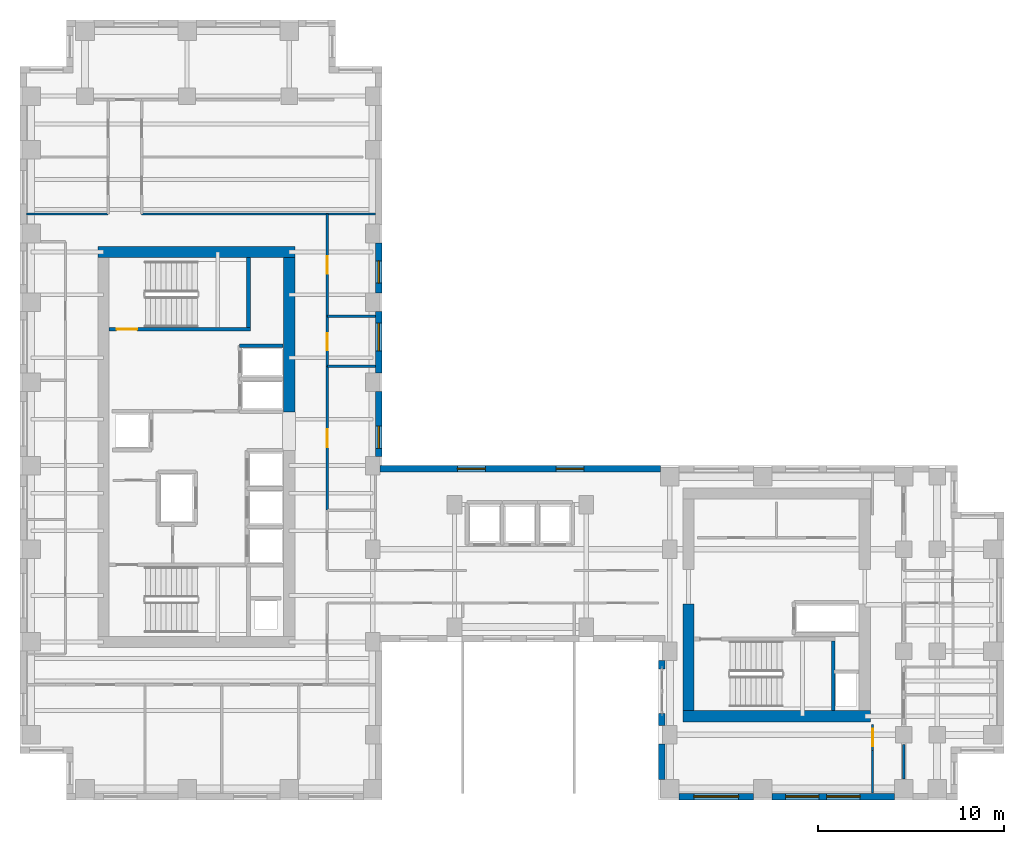
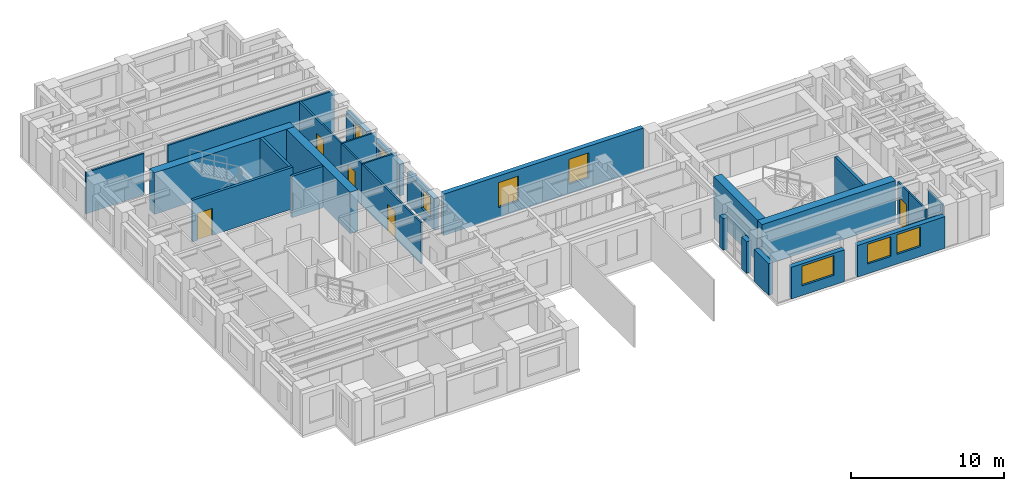
# One storey, part 7 of 12: 27 walls, 8 windows, 5 doors, 13 openings.
"""IFC4 building model written with IfcOpenShell, lengths in metres."""

import ifcopenshell
import ifcopenshell.guid

model = None  # the IFC model being written
_history = None  # IfcOwnerHistory: only IFC2X3 demands one
_inside = {}  # id of a spatial element -> (the spatial element, [elements in it])
_under = {}  # id of a project, library or spatial element -> (it, [spatial elements below it])
_declared = {}  # id of a project -> (the project, [libraries it declares])
_typed = {}  # id of a type object -> (the type object, [elements of that type])
_made_of = {}  # id of a material, layer set ... -> (it, [elements and type objects made of it])


def new_model(schema):
    """Start an empty IFC model of exactly this schema.

    Asked for "IFC4X3", IfcOpenShell would pick the latest addendum, in which some entities
    have other attributes; the version numbers below select the first issue.
    IFC2X3 requires an IfcOwnerHistory on every rooted entity: one is made here for all.
    """
    global model, _history
    if schema == "IFC4X3":
        model = ifcopenshell.file(schema_version=(4, 3, 0, 0))
    else:
        model = ifcopenshell.file(schema=schema)
    _inside.clear()
    _under.clear()
    _declared.clear()
    _typed.clear()
    _made_of.clear()
    _history = None
    if model.schema == "IFC2X3":
        org = make("IfcOrganization", Name="unknown")
        user = make(
            "IfcPersonAndOrganization",
            ThePerson=make("IfcPerson", FamilyName="unknown"),
            TheOrganization=org,
        )
        app = make(
            "IfcApplication",
            ApplicationDeveloper=org,
            Version="unknown",
            ApplicationFullName="unknown",
            ApplicationIdentifier="unknown",
        )
        _history = make(
            "IfcOwnerHistory",
            OwningUser=user,
            OwningApplication=app,
            ChangeAction="ADDED",
            CreationDate=0,
        )
    return model


def make(cls, **values):
    """One entity of the class cls with the attributes given. An attribute that is None is left unset."""
    return model.create_entity(
        cls, **{name: value for name, value in values.items() if value is not None}
    )


def rooted(cls, **values):
    """An entity with a GlobalId (a new one), such as an element, a storey or a relation."""
    return make(cls, GlobalId=ifcopenshell.guid.new(), OwnerHistory=_history, **values)


def si_unit(unit_type, name, prefix=None):
    """IfcSIUnit, for example si_unit("LENGTHUNIT", "METRE", prefix="MILLI")."""
    return make("IfcSIUnit", UnitType=unit_type, Prefix=prefix, Name=name)


def assignment(units):
    """IfcUnitAssignment: the units of a project."""
    return None if units is None else make("IfcUnitAssignment", Units=units)


def point(xyz):
    """IfcCartesianPoint."""
    return None if xyz is None else make("IfcCartesianPoint", Coordinates=xyz)


def direction(xyz):
    """IfcDirection."""
    return None if xyz is None else make("IfcDirection", DirectionRatios=xyz)


def frame(location, z_axis=None, x_axis=None):
    """IfcAxis2Placement3D, a coordinate frame: its origin and axes. An axis left out is left unset."""
    return make(
        "IfcAxis2Placement3D",
        Location=point(location),
        Axis=direction(z_axis),
        RefDirection=direction(x_axis),
    )


def frame_2d(location, x_axis=None):
    """IfcAxis2Placement2D, a coordinate frame in the plane: its origin and x axis."""
    return make(
        "IfcAxis2Placement2D", Location=point(location), RefDirection=direction(x_axis)
    )


def origin():
    """The frame at (0, 0, 0) with its axes left unset."""
    return frame((0.0, 0.0, 0.0))


def place(relative_to, where):
    """IfcLocalPlacement: puts the frame where relative to a parent placement (None: the world)."""
    return make(
        "IfcLocalPlacement", PlacementRelTo=relative_to, RelativePlacement=where
    )


def context(
    kind, dimensions, precision=None, world=None, true_north=None, identifier=None
):
    """IfcGeometricRepresentationContext, for example the 3D "Model" context."""
    return make(
        "IfcGeometricRepresentationContext",
        ContextIdentifier=identifier,
        ContextType=kind,
        CoordinateSpaceDimension=dimensions,
        Precision=precision,
        WorldCoordinateSystem=world,
        TrueNorth=true_north,
    )


def subcontext(parent, identifier, kind, view, scale=None):
    """IfcGeometricRepresentationSubContext, for example "Body" below "Model"."""
    return make(
        "IfcGeometricRepresentationSubContext",
        ContextIdentifier=identifier,
        ContextType=kind,
        ParentContext=parent,
        TargetScale=scale,
        TargetView=view,
    )


def project(units=None, contexts=None):
    """IfcProject with its units and contexts."""
    return rooted(
        "IfcProject",
        Name="project",
        RepresentationContexts=contexts,
        UnitsInContext=assignment(units),
    )


def spatial(cls, under=None, at=None, **own):
    """A site, building, storey or space (cls), placed at a placement, below another one or the project."""
    s = rooted(cls, ObjectPlacement=at, **own)
    if under is not None:
        _under.setdefault(under.id(), (under, []))[1].append(s)
    return s


def profile(cls, at=None, kind="AREA", **sizes):
    """A parametric profile (cls). Its sizes go by their IFC names, for example OverallWidth=200.0."""
    return make(cls, ProfileType=kind, Position=at, **sizes)


def rectangle(**sizes):
    """IfcRectangleProfileDef."""
    return profile("IfcRectangleProfileDef", **sizes)


def extrude(swept, where, along, depth):
    """IfcExtrudedAreaSolid: the profile swept, set in the frame where, extruded along a direction by depth."""
    return make(
        "IfcExtrudedAreaSolid",
        SweptArea=swept,
        Position=where,
        ExtrudedDirection=direction(along),
        Depth=depth,
    )


def shape(context_of_items, identifier, shape_type, items):
    """IfcShapeRepresentation: the items that make up one representation, for example the "Body"."""
    return make(
        "IfcShapeRepresentation",
        ContextOfItems=context_of_items,
        RepresentationIdentifier=identifier,
        RepresentationType=shape_type,
        Items=items,
    )


def source(mapping_origin, context_of_items, identifier, shape_type, items):
    """IfcRepresentationMap: a shape defined once, which mapped items show again and again."""
    return make(
        "IfcRepresentationMap",
        MappingOrigin=mapping_origin,
        MappedRepresentation=shape(context_of_items, identifier, shape_type, items),
    )


def transform(
    local_origin,
    x_axis=None,
    y_axis=None,
    z_axis=None,
    scale=None,
    scale2=None,
    scale3=None,
    uniform=True,
):
    """IfcCartesianTransformationOperator3D, or its non-uniform kind. x_axis, y_axis, z_axis: its Axis1, 2, 3."""
    if uniform:
        return make(
            "IfcCartesianTransformationOperator3D",
            Axis1=direction(x_axis),
            Axis2=direction(y_axis),
            LocalOrigin=point(local_origin),
            Scale=scale,
            Axis3=direction(z_axis),
        )
    return make(
        "IfcCartesianTransformationOperator3DnonUniform",
        Axis1=direction(x_axis),
        Axis2=direction(y_axis),
        LocalOrigin=point(local_origin),
        Scale=scale,
        Axis3=direction(z_axis),
        Scale2=scale2,
        Scale3=scale3,
    )


def mapped(mapping_source, mapping_target):
    """IfcMappedItem: shows the shape of a source again, moved by a transform."""
    return make(
        "IfcMappedItem", MappingSource=mapping_source, MappingTarget=mapping_target
    )


def material(Name=None, Category=None):
    """IfcMaterial."""
    return make("IfcMaterial", Name=Name, Category=Category)


def layer(
    of_material, thickness, ventilated=None, Name=None, Category=None, Priority=None
):
    """IfcMaterialLayer: one layer of a wall or slab, of a material (None: an air gap)."""
    return make(
        "IfcMaterialLayer",
        Material=of_material,
        LayerThickness=thickness,
        IsVentilated=ventilated,
        Name=Name,
        Category=Category,
        Priority=Priority,
    )


def layer_set(layers, Name=None):
    """IfcMaterialLayerSet."""
    return make("IfcMaterialLayerSet", MaterialLayers=layers, LayerSetName=Name)


def made_of(thing, what):
    """Note that an element or type object is made of a material, layer set ...; save() writes the relation."""
    if what is not None:
        _made_of.setdefault(what.id(), (what, []))[1].append(thing)
    return thing


def type_object(cls, material=None, **own):
    """A type object (cls), such as IfcWallType, which elements share."""
    return made_of(rooted(cls, **own), material)


def element(
    cls,
    number,
    at=None,
    inside=None,
    cuts=None,
    type_object=None,
    material=None,
    context=None,
    identifier="Body",
    shape_type=None,
    held_by="IfcProductDefinitionShape",
    body=None,
    shapes=None,
    **own,
):
    """One element of the class cls, such as IfcWall. Its Tag is "e" and its number.

    at: its placement. inside: the storey or other place that contains it. cuts: it is an
    opening in that element (IfcRelVoidsElement). A single representation is given by context,
    identifier, shape_type and body (its items); several are given by shapes. held_by: the class
    of the entity that holds the representations. save() writes the other relations.
    """
    e = rooted(cls, Tag="e%d" % number, ObjectPlacement=at, **own)
    if body is not None:
        shapes = [shape(context, identifier, shape_type, body)]
    if shapes is not None:
        e.Representation = make(held_by, Representations=shapes)
    if inside is not None:
        _inside.setdefault(inside.id(), (inside, []))[1].append(e)
    if cuts is not None:
        rooted(
            "IfcRelVoidsElement", RelatingBuildingElement=cuts, RelatedOpeningElement=e
        )
    if type_object is not None:
        _typed.setdefault(type_object.id(), (type_object, []))[1].append(e)
    return made_of(e, material)


def fill(opening, filler):
    """IfcRelFillsElement: the door or window that sits in an opening."""
    return rooted(
        "IfcRelFillsElement",
        RelatingOpeningElement=opening,
        RelatedBuildingElement=filler,
    )


def aggregate(whole, parts):
    """IfcRelAggregates: a whole, such as a stair, and the parts it consists of."""
    return rooted("IfcRelAggregates", RelatingObject=whole, RelatedObjects=parts)


def save(model, path):
    """Write the relations noted so far, then the file.

    IfcRelAggregates (storeys below a building ...), IfcRelContainedInSpatialStructure (elements
    in a storey), IfcRelDefinesByType, IfcRelAssociatesMaterial and IfcRelDeclares: one each for
    every whole, place, type object, material and project.
    """
    for whole, parts in _under.values():
        aggregate(whole, parts)
    for where, things in _inside.values():
        rooted(
            "IfcRelContainedInSpatialStructure",
            RelatedElements=things,
            RelatingStructure=where,
        )
    for kind, things in _typed.values():
        rooted("IfcRelDefinesByType", RelatedObjects=things, RelatingType=kind)
    for what, things in _made_of.values():
        rooted("IfcRelAssociatesMaterial", RelatedObjects=things, RelatingMaterial=what)
    for by, libraries in _declared.values():
        rooted("IfcRelDeclares", RelatingContext=by, RelatedDefinitions=libraries)
    model.write(path)


model = new_model("IFC4")

# Units and contexts
model_context = context("Model", 3, precision=1e-05, world=origin(), true_north=direction((0.0, 1.0)))
body_context = subcontext(model_context, "Body", "Model", "MODEL_VIEW")
ifc_project = project(units=[si_unit("LENGTHUNIT", "METRE"), si_unit("AREAUNIT", "SQUARE_METRE"), si_unit("VOLUMEUNIT", "CUBIC_METRE"), si_unit("PLANEANGLEUNIT", "RADIAN"), si_unit("MASSUNIT", "GRAM", prefix="KILO")], contexts=[model_context])

# Site, building, storey
site_placement = place(None, origin())
site = spatial("IfcSite", under=ifc_project, at=site_placement, CompositionType="ELEMENT")
building_placement = place(site_placement, origin())
building = spatial("IfcBuilding", under=site, at=building_placement, Name="Kharzan Plaza Tower", CompositionType="ELEMENT")
storey_placement = place(building_placement, frame((0.0, 0.0, 204.300048828125)))
storey = spatial("IfcBuildingStorey", under=building, at=storey_placement, Name="L55", CompositionType="ELEMENT", Elevation=204.300048828125)

# Wall, opening, window
ifc_material_1 = material(Name="Concrete C40/50", Category="concrete")
ifc_layer_1 = layer(ifc_material_1, 0.35009765625)
ifc_layer_set_1 = layer_set([ifc_layer_1], Name="Concrete C40/50")
wall_type_1 = type_object("IfcWallType", Name="WL-EXT-MAS-Z3", PredefinedType="SOLIDWALL", material=ifc_layer_set_1)
wall_1_placement = place(storey_placement, frame((35.498046875, 0.175048828125, 0.0), z_axis=(0.0, 0.0, 1.0), x_axis=(1.0, 0.0, 0.0)))
wall_1 = element("IfcWall", 1, at=wall_1_placement, inside=storey, type_object=wall_type_1, Name="L55 Masonry-Frame Exterior Wall 32", PredefinedType="SOLIDWALL", context=body_context, shape_type="SweptSolid", body=[
    extrude(rectangle(XDim=4.00390625, YDim=0.35009765625, at=frame_2d((2.001953125, 0.0))), origin(), (0.0, 0.0, 1.0), 2.531982421875),
])
opening_1_placement = place(wall_1_placement, frame((0.802001953125, 0.0, 0.780029296875)))
opening_1 = element("IfcOpeningElement", 2, at=opening_1_placement, cuts=wall_1, Name="Opening W2", PredefinedType="OPENING", context=body_context, shape_type="SweptSolid", body=[
    extrude(rectangle(XDim=2.39990234375, YDim=1.572021484375, at=frame_2d((1.199951171875, 0.7861328125))), frame((0.0, 0.18505859375, 0.0), z_axis=(0.0, -1.0, 0.0), x_axis=(1.0, 0.0, 0.0)), (0.0, 0.0, 1.0), 0.3701171875),
])
ifc_material_2 = material(Name="Low-E Double Glazing", Category="glass")
window_type_1 = type_object("IfcWindowType", Name="WN-REC-2400x2100", PartitioningType="SINGLE_PANEL", PredefinedType="WINDOW", material=ifc_material_2)
shared_shape_1 = source(origin(), body_context, "Body", "SweptSolid", [
    extrude(rectangle(XDim=2.39990234375, YDim=1.572021484375, at=frame_2d((1.199951171875, 0.7861328125))), frame((0.0, 0.030029296875, 0.0), z_axis=(0.0, -1.0, 0.0), x_axis=(1.0, 0.0, 0.0)), (0.0, 0.0, 1.0), 0.06005859375),
])
window_1_placement = place(opening_1_placement, origin())
window_1 = element("IfcWindow", 3, at=window_1_placement, inside=storey, type_object=window_type_1, Name="L55 Wide Recessed Solar-Control Window 32-1", OverallHeight=1.572021484375, OverallWidth=2.39990234375, PartitioningType="SINGLE_PANEL", PredefinedType="WINDOW", context=body_context, shape_type="MappedRepresentation", body=[
    mapped(shared_shape_1, transform((0.0, 0.0, 0.0), x_axis=(1.0, 0.0, 0.0), y_axis=(0.0, 1.0, 0.0), z_axis=(0.0, 0.0, 1.0))),
])
fill(opening_1, window_1)

# Wall, openings, windows
wall_2_placement = place(storey_placement, frame((40.498046875, 0.175048828125, 0.0), z_axis=(0.0, 0.0, 1.0), x_axis=(1.0, 0.0, 0.0)))
wall_2 = element("IfcWall", 4, at=wall_2_placement, inside=storey, type_object=wall_type_1, Name="L55 Masonry-Frame Exterior Wall 33", PredefinedType="SOLIDWALL", context=body_context, shape_type="SweptSolid", body=[
    extrude(rectangle(XDim=6.60400390625, YDim=0.35009765625, at=frame_2d((3.302001953125, 0.0))), origin(), (0.0, 0.0, 1.0), 2.531982421875),
])
opening_2_placement = place(wall_2_placement, frame((0.7373046875, 0.0, 0.780029296875)))
opening_2 = element("IfcOpeningElement", 5, at=opening_2_placement, cuts=wall_2, Name="Opening W1", PredefinedType="OPENING", context=body_context, shape_type="SweptSolid", body=[
    extrude(rectangle(XDim=1.800048828125, YDim=1.572021484375, at=frame_2d((0.89990234375, 0.7861328125))), frame((0.0, 0.18505859375, 0.0), z_axis=(0.0, -1.0, 0.0), x_axis=(1.0, 0.0, 0.0)), (0.0, 0.0, 1.0), 0.3701171875),
])
opening_3_placement = place(wall_2_placement, frame((2.95458984375, 0.0, 0.780029296875)))
opening_3 = element("IfcOpeningElement", 6, at=opening_3_placement, cuts=wall_2, Name="Opening W1", PredefinedType="OPENING", context=body_context, shape_type="SweptSolid", body=[
    extrude(rectangle(XDim=1.800048828125, YDim=1.572021484375, at=frame_2d((0.89990234375, 0.7861328125))), frame((0.0, 0.18505859375, 0.0), z_axis=(0.0, -1.0, 0.0), x_axis=(1.0, 0.0, 0.0)), (0.0, 0.0, 1.0), 0.3701171875),
])
window_type_2 = type_object("IfcWindowType", Name="WN-REC-1800x2100", PartitioningType="SINGLE_PANEL", PredefinedType="WINDOW", material=ifc_material_2)
shared_shape_2 = source(origin(), body_context, "Body", "SweptSolid", [
    extrude(rectangle(XDim=1.800048828125, YDim=1.572021484375, at=frame_2d((0.89990234375, 0.7861328125))), frame((0.0, 0.030029296875, 0.0), z_axis=(0.0, -1.0, 0.0), x_axis=(1.0, 0.0, 0.0)), (0.0, 0.0, 1.0), 0.06005859375),
])
window_2_placement = place(opening_2_placement, origin())
window_2 = element("IfcWindow", 7, at=window_2_placement, inside=storey, type_object=window_type_2, Name="L55 Recessed Solar-Control Window 33-1", OverallHeight=1.572021484375, OverallWidth=1.800048828125, PartitioningType="SINGLE_PANEL", PredefinedType="WINDOW", context=body_context, shape_type="MappedRepresentation", body=[
    mapped(shared_shape_2, transform((0.0, 0.0, 0.0), x_axis=(1.0, 0.0, 0.0), y_axis=(0.0, 1.0, 0.0), z_axis=(0.0, 0.0, 1.0))),
])
fill(opening_2, window_2)
window_3_placement = place(opening_3_placement, origin())
window_3 = element("IfcWindow", 8, at=window_3_placement, inside=storey, type_object=window_type_2, Name="L55 Recessed Solar-Control Window 33-2", OverallHeight=1.572021484375, OverallWidth=1.800048828125, PartitioningType="SINGLE_PANEL", PredefinedType="WINDOW", context=body_context, shape_type="MappedRepresentation", body=[
    mapped(shared_shape_2, transform((0.0, 0.0, 0.0), x_axis=(1.0, 0.0, 0.0), y_axis=(0.0, 1.0, 0.0), z_axis=(0.0, 0.0, 1.0))),
])
fill(opening_3, window_3)

wall_3_placement = place(storey_placement, frame((34.501953125, 17.824951171875, 0.0), z_axis=(0.0, 0.0, 1.0), x_axis=(-1.0, 0.0, 0.0)))
wall_3 = element("IfcWall", 9, at=wall_3_placement, inside=storey, type_object=wall_type_1, Name="L55 Masonry-Frame Exterior Wall 47", PredefinedType="SOLIDWALL", context=body_context, shape_type="SweptSolid", body=[
    extrude(rectangle(XDim=15.10400390625, YDim=0.35009765625, at=frame_2d((7.552001953125, 0.0))), origin(), (0.0, 0.0, 1.0), 3.304931640625),
])
opening_4_placement = place(wall_3_placement, frame((4.131103515625, 0.0, 0.780029296875)))
opening_4 = element("IfcOpeningElement", 10, at=opening_4_placement, cuts=wall_3, Name="Opening W5", PredefinedType="OPENING", context=body_context, shape_type="SweptSolid", body=[
    extrude(rectangle(XDim=1.5, YDim=2.0, at=frame_2d((0.75, 1.0))), frame((0.0, 0.18505859375, 0.0), z_axis=(0.0, -1.0, 0.0), x_axis=(1.0, 0.0, 0.0)), (0.0, 0.0, 1.0), 0.3701171875),
])
opening_5_placement = place(wall_3_placement, frame((9.4423828125, 0.0, 0.780029296875)))
opening_5 = element("IfcOpeningElement", 11, at=opening_5_placement, cuts=wall_3, Name="Opening W5", PredefinedType="OPENING", context=body_context, shape_type="SweptSolid", body=[
    extrude(rectangle(XDim=1.5, YDim=2.0, at=frame_2d((0.75, 1.0))), frame((0.0, 0.18505859375, 0.0), z_axis=(0.0, -1.0, 0.0), x_axis=(1.0, 0.0, 0.0)), (0.0, 0.0, 1.0), 0.3701171875),
])
window_type_3 = type_object("IfcWindowType", Name="WN-SLT-1500x2000", PartitioningType="SINGLE_PANEL", PredefinedType="WINDOW", material=ifc_material_2)
shared_shape_3 = source(origin(), body_context, "Body", "SweptSolid", [
    extrude(rectangle(XDim=1.5, YDim=2.0, at=frame_2d((0.75, 1.0))), frame((0.0, 0.030029296875, 0.0), z_axis=(0.0, -1.0, 0.0), x_axis=(1.0, 0.0, 0.0)), (0.0, 0.0, 1.0), 0.06005859375),
])
window_4_placement = place(opening_4_placement, origin())
window_4 = element("IfcWindow", 12, at=window_4_placement, inside=storey, type_object=window_type_3, Name="L55 Recessed Solar-Control Window 47-1", OverallHeight=2.0, OverallWidth=1.5, PartitioningType="SINGLE_PANEL", PredefinedType="WINDOW", context=body_context, shape_type="MappedRepresentation", body=[
    mapped(shared_shape_3, transform((0.0, 0.0, 0.0), x_axis=(1.0, 0.0, 0.0), y_axis=(0.0, 1.0, 0.0), z_axis=(0.0, 0.0, 1.0))),
])
fill(opening_4, window_4)
window_5_placement = place(opening_5_placement, origin())
window_5 = element("IfcWindow", 13, at=window_5_placement, inside=storey, type_object=window_type_3, Name="L55 Recessed Solar-Control Window 47-2", OverallHeight=2.0, OverallWidth=1.5, PartitioningType="SINGLE_PANEL", PredefinedType="WINDOW", context=body_context, shape_type="MappedRepresentation", body=[
    mapped(shared_shape_3, transform((0.0, 0.0, 0.0), x_axis=(1.0, 0.0, 0.0), y_axis=(0.0, 1.0, 0.0), z_axis=(0.0, 0.0, 1.0))),
])
fill(opening_5, window_5)

# Wall, opening, window
wall_4_placement = place(storey_placement, frame((19.324951171875, 18.498046875, 0.0), z_axis=(0.0, 0.0, 1.0), x_axis=(0.0, 1.0, 0.0)))
wall_4 = element("IfcWall", 14, at=wall_4_placement, inside=storey, type_object=wall_type_1, Name="L55 Masonry-Frame Exterior Wall 48", PredefinedType="SOLIDWALL", context=body_context, shape_type="SweptSolid", body=[
    extrude(rectangle(XDim=3.50390625, YDim=0.35009765625, at=frame_2d((1.751953125, 0.0))), origin(), (0.0, 0.0, 1.0), 2.531982421875),
])
opening_6_placement = place(wall_4_placement, frame((0.4326171875, 0.0, 0.780029296875)))
opening_6 = element("IfcOpeningElement", 15, at=opening_6_placement, cuts=wall_4, Name="Opening W3", PredefinedType="OPENING", context=body_context, shape_type="SweptSolid", body=[
    extrude(rectangle(XDim=1.199951171875, YDim=1.572021484375, at=frame_2d((0.60009765625, 0.7861328125))), frame((0.0, 0.18505859375, 0.0), z_axis=(0.0, -1.0, 0.0), x_axis=(1.0, 0.0, 0.0)), (0.0, 0.0, 1.0), 0.3701171875),
])
window_type_4 = type_object("IfcWindowType", Name="WN-REC-1200x2100", PartitioningType="SINGLE_PANEL", PredefinedType="WINDOW", material=ifc_material_2)
shared_shape_4 = source(origin(), body_context, "Body", "SweptSolid", [
    extrude(rectangle(XDim=1.199951171875, YDim=1.572021484375, at=frame_2d((0.60009765625, 0.7861328125))), frame((0.0, 0.030029296875, 0.0), z_axis=(0.0, -1.0, 0.0), x_axis=(1.0, 0.0, 0.0)), (0.0, 0.0, 1.0), 0.06005859375),
])
window_6_placement = place(opening_6_placement, origin())
window_6 = element("IfcWindow", 16, at=window_6_placement, inside=storey, type_object=window_type_4, Name="L55 Recessed Solar-Control Window 48-1", OverallHeight=1.572021484375, OverallWidth=1.199951171875, PartitioningType="SINGLE_PANEL", PredefinedType="WINDOW", context=body_context, shape_type="MappedRepresentation", body=[
    mapped(shared_shape_4, transform((0.0, 0.0, 0.0), x_axis=(1.0, 0.0, 0.0), y_axis=(0.0, 1.0, 0.0), z_axis=(0.0, 0.0, 1.0))),
])
fill(opening_6, window_6)

wall_5_placement = place(storey_placement, frame((19.324951171875, 22.998046875, 0.0), z_axis=(0.0, 0.0, 1.0), x_axis=(0.0, 1.0, 0.0)))
wall_5 = element("IfcWall", 17, at=wall_5_placement, inside=storey, type_object=wall_type_1, Name="L55 Masonry-Frame Exterior Wall 49", PredefinedType="SOLIDWALL", context=body_context, shape_type="SweptSolid", body=[
    extrude(rectangle(XDim=3.303955078125, YDim=0.35009765625, at=frame_2d((1.65185546875, 0.0))), origin(), (0.0, 0.0, 1.0), 2.531982421875),
])
opening_7_placement = place(wall_5_placement, frame((1.180419921875, 0.0, 0.780029296875)))
opening_7 = element("IfcOpeningElement", 18, at=opening_7_placement, cuts=wall_5, Name="Opening W5", PredefinedType="OPENING", context=body_context, shape_type="SweptSolid", body=[
    extrude(rectangle(XDim=1.5, YDim=1.572021484375, at=frame_2d((0.75, 0.7861328125))), frame((0.0, 0.18505859375, 0.0), z_axis=(0.0, -1.0, 0.0), x_axis=(1.0, 0.0, 0.0)), (0.0, 0.0, 1.0), 0.3701171875),
])
shared_shape_5 = source(origin(), body_context, "Body", "SweptSolid", [
    extrude(rectangle(XDim=1.5, YDim=1.572021484375, at=frame_2d((0.75, 0.7861328125))), frame((0.0, 0.030029296875, 0.0), z_axis=(0.0, -1.0, 0.0), x_axis=(1.0, 0.0, 0.0)), (0.0, 0.0, 1.0), 0.06005859375),
])
window_7_placement = place(opening_7_placement, origin())
window_7 = element("IfcWindow", 19, at=window_7_placement, inside=storey, type_object=window_type_3, Name="L55 Recessed Solar-Control Window 49-1", OverallHeight=1.572021484375, OverallWidth=1.5, PartitioningType="SINGLE_PANEL", PredefinedType="WINDOW", context=body_context, shape_type="MappedRepresentation", body=[
    mapped(shared_shape_5, transform((0.0, 0.0, 0.0), x_axis=(1.0, 0.0, 0.0), y_axis=(0.0, 1.0, 0.0), z_axis=(0.0, 0.0, 1.0))),
])
fill(opening_7, window_7)

wall_6_placement = place(storey_placement, frame((19.324951171875, 27.298095703125, 0.0), z_axis=(0.0, 0.0, 1.0), x_axis=(0.0, 1.0, 0.0)))
wall_6 = element("IfcWall", 20, at=wall_6_placement, inside=storey, type_object=wall_type_1, Name="L55 Masonry-Frame Exterior Wall 50", PredefinedType="SOLIDWALL", context=body_context, shape_type="SweptSolid", body=[
    extrude(rectangle(XDim=2.703857421875, YDim=0.35009765625, at=frame_2d((1.35205078125, 0.0))), origin(), (0.0, 0.0, 1.0), 2.531982421875),
])
opening_8_placement = place(wall_6_placement, frame((0.523681640625, 0.0, 0.780029296875)))
opening_8 = element("IfcOpeningElement", 21, at=opening_8_placement, cuts=wall_6, Name="Opening W3", PredefinedType="OPENING", context=body_context, shape_type="SweptSolid", body=[
    extrude(rectangle(XDim=1.199951171875, YDim=1.572021484375, at=frame_2d((0.60009765625, 0.7861328125))), frame((0.0, 0.18505859375, 0.0), z_axis=(0.0, -1.0, 0.0), x_axis=(1.0, 0.0, 0.0)), (0.0, 0.0, 1.0), 0.3701171875),
])
window_8_placement = place(opening_8_placement, origin())
window_8 = element("IfcWindow", 22, at=window_8_placement, inside=storey, type_object=window_type_4, Name="L55 Recessed Solar-Control Window 50-1", OverallHeight=1.572021484375, OverallWidth=1.199951171875, PartitioningType="SINGLE_PANEL", PredefinedType="WINDOW", context=body_context, shape_type="MappedRepresentation", body=[
    mapped(shared_shape_4, transform((0.0, 0.0, 0.0), x_axis=(1.0, 0.0, 0.0), y_axis=(0.0, 1.0, 0.0), z_axis=(0.0, 0.0, 1.0))),
])
fill(opening_8, window_8)

# Wall, opening, door
ifc_material_3 = material(Name="Fire-Rated Gypsum Board Partition", Category="gypsum")
ifc_layer_2 = layer(ifc_material_3, 0.125)
ifc_layer_set_2 = layer_set([ifc_layer_2], Name="Fire-Rated Gypsum Board Partition")
wall_type_2 = type_object("IfcWallType", Name="WL-INT-PART-125", PredefinedType="PARTITIONING", material=ifc_layer_set_2)
wall_7_placement = place(storey_placement, frame((16.550048828125, 15.60009765625, 0.0), z_axis=(0.0, 0.0, 1.0), x_axis=(0.0, 1.0, 0.0)))
wall_7 = element("IfcWall", 23, at=wall_7_placement, inside=storey, type_object=wall_type_2, Name="L55 Interior Partition SH-AEWN2", PredefinedType="PARTITIONING", context=body_context, shape_type="SweptSolid", body=[
    extrude(rectangle(XDim=7.75, YDim=0.125, at=frame_2d((3.875, 0.0))), origin(), (0.0, 0.0, 1.0), 3.304931640625),
])
opening_9_placement = place(wall_7_placement, frame((3.39990234375, 0.0, 0.0)))
opening_9 = element("IfcOpeningElement", 24, at=opening_9_placement, cuts=wall_7, Name="Opening OD1", PredefinedType="OPENING", context=body_context, shape_type="SweptSolid", body=[
    extrude(rectangle(XDim=0.949951171875, YDim=2.14990234375, at=frame_2d((0.47509765625, 1.074951171875))), frame((0.0, 0.072509765625, 0.0), z_axis=(0.0, -1.0, 0.0), x_axis=(1.0, 0.0, 0.0)), (0.0, 0.0, 1.0), 0.14501953125),
])
ifc_material_4 = material(Name="Acoustic Solid-Core Stained Oak", Category="timber")
door_type_1 = type_object("IfcDoorType", Name="DR-OFF-SINGLE", OperationType="NOTDEFINED", PredefinedType="DOOR", material=ifc_material_4)
shared_shape_6 = source(origin(), body_context, "Body", "SweptSolid", [
    extrude(rectangle(XDim=0.949951171875, YDim=2.14990234375, at=frame_2d((0.47509765625, 1.074951171875))), frame((0.0, 0.02490234375, 0.0), z_axis=(0.0, -1.0, 0.0), x_axis=(1.0, 0.0, 0.0)), (0.0, 0.0, 1.0), 0.050048828125),
])
door_1_placement = place(opening_9_placement, origin())
door_1 = element("IfcDoor", 25, at=door_1_placement, inside=storey, type_object=door_type_1, Name="L55 Slot Studio Door", OperationType="SINGLE_SWING_RIGHT", OverallHeight=2.14990234375, OverallWidth=0.949951171875, PredefinedType="DOOR", context=body_context, shape_type="MappedRepresentation", body=[
    mapped(shared_shape_6, transform((0.0, 0.0, 0.0), x_axis=(1.0, 0.0, 0.0), y_axis=(0.0, 1.0, 0.0), z_axis=(0.0, 0.0, 1.0))),
])
fill(opening_9, door_1)

wall_8_placement = place(storey_placement, frame((16.550048828125, 26.050048828125, 0.0), z_axis=(0.0, 0.0, 1.0), x_axis=(0.0, 1.0, 0.0)))
wall_8 = element("IfcWall", 26, at=wall_8_placement, inside=storey, type_object=wall_type_2, Name="L55 Interior Partition SH-AEWN3", PredefinedType="PARTITIONING", context=body_context, shape_type="SweptSolid", body=[
    extrude(rectangle(XDim=5.5, YDim=0.125, at=frame_2d((2.75, 0.0))), origin(), (0.0, 0.0, 1.0), 3.304931640625),
])
opening_10_placement = place(wall_8_placement, frame((2.27490234375, 0.0, 0.0)))
opening_10 = element("IfcOpeningElement", 27, at=opening_10_placement, cuts=wall_8, Name="Opening OD1", PredefinedType="OPENING", context=body_context, shape_type="SweptSolid", body=[
    extrude(rectangle(XDim=0.949951171875, YDim=2.14990234375, at=frame_2d((0.47509765625, 1.074951171875))), frame((0.0, 0.072509765625, 0.0), z_axis=(0.0, -1.0, 0.0), x_axis=(1.0, 0.0, 0.0)), (0.0, 0.0, 1.0), 0.14501953125),
])
door_2_placement = place(opening_10_placement, origin())
door_2 = element("IfcDoor", 28, at=door_2_placement, inside=storey, type_object=door_type_1, Name="L55 Staff Tea Point Door", OperationType="SINGLE_SWING_RIGHT", OverallHeight=2.14990234375, OverallWidth=0.949951171875, PredefinedType="DOOR", context=body_context, shape_type="MappedRepresentation", body=[
    mapped(shared_shape_6, transform((0.0, 0.0, 0.0), x_axis=(1.0, 0.0, 0.0), y_axis=(0.0, 1.0, 0.0), z_axis=(0.0, 0.0, 1.0))),
])
fill(opening_10, door_2)

wall_9_placement = place(storey_placement, frame((16.550048828125, 23.35009765625, 0.0), z_axis=(0.0, 0.0, 1.0), x_axis=(0.0, 1.0, 0.0)))
wall_9 = element("IfcWall", 29, at=wall_9_placement, inside=storey, type_object=wall_type_2, Name="L55 Interior Partition SH-AEWW", PredefinedType="PARTITIONING", context=body_context, shape_type="SweptSolid", body=[
    extrude(rectangle(XDim=2.699951171875, YDim=0.125, at=frame_2d((1.35009765625, 0.0))), origin(), (0.0, 0.0, 1.0), 3.304931640625),
])
opening_11_placement = place(wall_9_placement, frame((0.875, 0.0, 0.0)))
opening_11 = element("IfcOpeningElement", 30, at=opening_11_placement, cuts=wall_9, Name="Opening WD1", PredefinedType="OPENING", context=body_context, shape_type="SweptSolid", body=[
    extrude(rectangle(XDim=0.89990234375, YDim=2.14990234375, at=frame_2d((0.449951171875, 1.074951171875))), frame((0.0, 0.072509765625, 0.0), z_axis=(0.0, -1.0, 0.0), x_axis=(1.0, 0.0, 0.0)), (0.0, 0.0, 1.0), 0.14501953125),
])
ifc_material_5 = material(Name="Moisture-Resistant Fire-Rated Laminate", Category="timber")
door_type_2 = type_object("IfcDoorType", Name="DR-WC-900", OperationType="NOTDEFINED", PredefinedType="DOOR", material=ifc_material_5)
shared_shape_7 = source(origin(), body_context, "Body", "SweptSolid", [
    extrude(rectangle(XDim=0.89990234375, YDim=2.14990234375, at=frame_2d((0.449951171875, 1.074951171875))), frame((0.0, 0.02490234375, 0.0), z_axis=(0.0, -1.0, 0.0), x_axis=(1.0, 0.0, 0.0)), (0.0, 0.0, 1.0), 0.050048828125),
])
door_3_placement = place(opening_11_placement, origin())
door_3 = element("IfcDoor", 31, at=door_3_placement, inside=storey, type_object=door_type_2, Name="L55 Wing A Washroom Door", OperationType="SINGLE_SWING_LEFT", OverallHeight=2.14990234375, OverallWidth=0.89990234375, PredefinedType="DOOR", context=body_context, shape_type="MappedRepresentation", body=[
    mapped(shared_shape_7, transform((0.0, 0.0, 0.0), x_axis=(1.0, 0.0, 0.0), y_axis=(0.0, 1.0, 0.0), z_axis=(0.0, 0.0, 1.0))),
])
fill(opening_11, door_3)

wall_10_placement = place(storey_placement, frame((45.919921875, 2.64990234375, 0.0), z_axis=(0.0, 0.0, 1.0), x_axis=(0.0, 1.0, 0.0)))
wall_10 = element("IfcWall", 32, at=wall_10_placement, inside=storey, type_object=wall_type_2, Name="L55 Interior Partition SH-RBSE", PredefinedType="PARTITIONING", context=body_context, shape_type="SweptSolid", body=[
    extrude(rectangle(XDim=1.400146484375, YDim=0.125, at=frame_2d((0.7001953125, 0.0))), origin(), (0.0, 0.0, 1.0), 3.304931640625),
])
opening_12_placement = place(wall_10_placement, frame((0.22509765625, 0.0, 0.0)))
opening_12 = element("IfcOpeningElement", 33, at=opening_12_placement, cuts=wall_10, Name="Opening OD1", PredefinedType="OPENING", context=body_context, shape_type="SweptSolid", body=[
    extrude(rectangle(XDim=0.949951171875, YDim=2.14990234375, at=frame_2d((0.47509765625, 1.074951171875))), frame((0.0, 0.072509765625, 0.0), z_axis=(0.0, -1.0, 0.0), x_axis=(1.0, 0.0, 0.0)), (0.0, 0.0, 1.0), 0.14501953125),
])
door_4_placement = place(opening_12_placement, origin())
door_4 = element("IfcDoor", 34, at=door_4_placement, inside=storey, type_object=door_type_1, Name="L55 South-East Corner Office Door", OperationType="SINGLE_SWING_RIGHT", OverallHeight=2.14990234375, OverallWidth=0.949951171875, PredefinedType="DOOR", context=body_context, shape_type="MappedRepresentation", body=[
    mapped(shared_shape_6, transform((0.0, 0.0, 0.0), x_axis=(1.0, 0.0, 0.0), y_axis=(0.0, 1.0, 0.0), z_axis=(0.0, 0.0, 1.0))),
])
fill(opening_12, door_4)

ifc_material_6 = material(Name="Concrete C50/60", Category="concrete")
ifc_layer_3 = layer(ifc_material_6, 0.199951171875)
ifc_layer_set_3 = layer_set([ifc_layer_3], Name="Concrete C50/60")
wall_type_3 = type_object("IfcWallType", Name="WL-SHAFT-RC200", PredefinedType="SHEAR", material=ifc_layer_set_3)
wall_11_placement = place(storey_placement, frame((4.802001953125, 25.344970703125, 0.0), z_axis=(0.0, 0.0, 1.0), x_axis=(1.0, 0.0, 0.0)))
wall_11 = element("IfcWall", 35, at=wall_11_placement, inside=storey, type_object=wall_type_3, Name="L55 Stair ST-2 South RC Shaft Wall", PredefinedType="SHEAR", context=body_context, shape_type="SweptSolid", body=[
    extrude(rectangle(XDim=7.60302734375, YDim=0.199951171875, at=frame_2d((3.801513671875, 0.0))), origin(), (0.0, 0.0, 1.0), 3.320068359375),
])
opening_13_placement = place(wall_11_placement, frame((0.39990234375, 0.0, 0.0)))
opening_13 = element("IfcOpeningElement", 36, at=opening_13_placement, cuts=wall_11, Name="Opening SD1", PredefinedType="OPENING", context=body_context, shape_type="SweptSolid", body=[
    extrude(rectangle(XDim=1.10009765625, YDim=2.14990234375, at=frame_2d((0.550048828125, 1.074951171875))), frame((0.0, 0.10986328125, 0.0), z_axis=(0.0, -1.0, 0.0), x_axis=(1.0, 0.0, 0.0)), (0.0, 0.0, 1.0), 0.219970703125),
])
ifc_material_7 = material(Name="Fire-Rated Hollow Galvanized Steel", Category="steel")
door_type_3 = type_object("IfcDoorType", Name="DR-STAIR-FD120", OperationType="NOTDEFINED", PredefinedType="DOOR", material=ifc_material_7)
shared_shape_8 = source(origin(), body_context, "Body", "SweptSolid", [
    extrude(rectangle(XDim=1.10009765625, YDim=2.14990234375, at=frame_2d((0.550048828125, 1.074951171875))), frame((0.0, 0.02490234375, 0.0), z_axis=(0.0, -1.0, 0.0), x_axis=(1.0, 0.0, 0.0)), (0.0, 0.0, 1.0), 0.050048828125),
])
door_5_placement = place(opening_13_placement, origin())
door_5 = element("IfcDoor", 37, at=door_5_placement, inside=storey, type_object=door_type_3, Name="L55 Stair ST-2 Fire Exit Door", OperationType="SINGLE_SWING_LEFT", OverallHeight=2.14990234375, OverallWidth=1.10009765625, PredefinedType="DOOR", context=body_context, shape_type="MappedRepresentation", body=[
    mapped(shared_shape_8, transform((0.0, 0.0, 0.0), x_axis=(1.0, 0.0, 0.0), y_axis=(0.0, 1.0, 0.0), z_axis=(0.0, 0.0, 1.0))),
])
fill(opening_13, door_5)

# Walls
shared_shape_9 = source(origin(), body_context, "Body", "SweptSolid", [
    extrude(rectangle(XDim=2.597900390625, YDim=0.125, at=frame_2d((1.298828125, 0.0))), origin(), (0.0, 0.0, 1.0), 3.304931640625),
])
for number, where, z_axis, x_axis, name in (
    (38, (16.550048828125, 23.35009765625, 0.0), (0.0, 0.0, 1.0), (1.0, 0.0, 0.0), "L55 Interior Partition SH-AEH-233"),
    (39, (16.550048828125, 26.050048828125, 0.0), (0.0, 0.0, 1.0), (1.0, 0.0, 0.0), "L55 Interior Partition SH-AEH-260"),
):
    element("IfcWall", number, at=place(storey_placement, frame(where, z_axis=z_axis, x_axis=x_axis)), inside=storey, type_object=wall_type_2, Name=name, PredefinedType="PARTITIONING", context=body_context, shape_type="MappedRepresentation", body=[
        mapped(shared_shape_9, transform((0.0, 0.0, 0.0), x_axis=(1.0, 0.0, 0.0), y_axis=(0.0, 1.0, 0.0), z_axis=(0.0, 0.0, 1.0))),
    ])
shared_shape_10 = source(origin(), body_context, "Body", "SweptSolid", [
    extrude(rectangle(XDim=2.2978515625, YDim=0.125, at=frame_2d((1.14892578125, 0.0))), origin(), (0.0, 0.0, 1.0), 3.304931640625),
])
wall_12_placement = place(storey_placement, frame((45.919921875, 0.35205078125, 0.0), z_axis=(0.0, 0.0, 1.0), x_axis=(0.0, 1.0, 0.0)))
element("IfcWall", 40, at=wall_12_placement, inside=storey, type_object=wall_type_2, Name="L55 Interior Partition SH-RBSE0", PredefinedType="PARTITIONING", context=body_context, shape_type="MappedRepresentation", body=[
    mapped(shared_shape_10, transform((0.0, 0.0, 0.0), x_axis=(1.0, 0.0, 0.0), y_axis=(0.0, 1.0, 0.0), z_axis=(0.0, 0.0, 1.0))),
])
shared_shape_11 = source(origin(), body_context, "Body", "SweptSolid", [
    extrude(rectangle(XDim=12.597900390625, YDim=0.125, at=frame_2d((6.298828125, 0.0))), origin(), (0.0, 0.0, 1.0), 3.304931640625),
])
wall_13_placement = place(storey_placement, frame((6.550048828125, 31.550048828125, 0.0), z_axis=(0.0, 0.0, 1.0), x_axis=(1.0, 0.0, 0.0)))
element("IfcWall", 41, at=wall_13_placement, inside=storey, type_object=wall_type_2, Name="L55 Interior Partition SH-NNE", PredefinedType="PARTITIONING", context=body_context, shape_type="MappedRepresentation", body=[
    mapped(shared_shape_11, transform((0.0, 0.0, 0.0), x_axis=(1.0, 0.0, 0.0), y_axis=(0.0, 1.0, 0.0), z_axis=(0.0, 0.0, 1.0))),
])
shared_shape_12 = source(origin(), body_context, "Body", "SweptSolid", [
    extrude(rectangle(XDim=4.39794921875, YDim=0.125, at=frame_2d((2.198974609375, 0.0))), origin(), (0.0, 0.0, 1.0), 3.304931640625),
])
wall_14_placement = place(storey_placement, frame((0.35205078125, 31.550048828125, 0.0), z_axis=(0.0, 0.0, 1.0), x_axis=(1.0, 0.0, 0.0)))
element("IfcWall", 42, at=wall_14_placement, inside=storey, type_object=wall_type_2, Name="L55 Interior Partition SH-NNW", PredefinedType="PARTITIONING", context=body_context, shape_type="MappedRepresentation", body=[
    mapped(shared_shape_12, transform((0.0, 0.0, 0.0), x_axis=(1.0, 0.0, 0.0), y_axis=(0.0, 1.0, 0.0), z_axis=(0.0, 0.0, 1.0))),
])
ifc_layer_4 = layer(ifc_material_6, 0.60009765625)
ifc_layer_set_4 = layer_set([ifc_layer_4], Name="Concrete C50/60")
wall_type_4 = type_object("IfcWallType", Name="WL-CORE-600", PredefinedType="SHEAR", material=ifc_layer_set_4)
shared_shape_13 = source(origin(), body_context, "Body", "SweptSolid", [
    extrude(rectangle(XDim=8.320068359375, YDim=0.60009765625, at=frame_2d((4.16015625, 0.0))), origin(), (0.0, 0.0, 1.0), 3.320068359375),
])
wall_15_placement = place(storey_placement, frame((14.5, 20.8798828125, 0.0), z_axis=(0.0, 0.0, 1.0), x_axis=(0.0, 1.0, 0.0)))
element("IfcWall", 43, at=wall_15_placement, inside=storey, type_object=wall_type_4, Name="L55 CORE-A east shear pier 2", PredefinedType="SHEAR", context=body_context, shape_type="MappedRepresentation", body=[
    mapped(shared_shape_13, transform((0.0, 0.0, 0.0), x_axis=(1.0, 0.0, 0.0), y_axis=(0.0, 1.0, 0.0), z_axis=(0.0, 0.0, 1.0))),
])
shared_shape_14 = source(origin(), body_context, "Body", "SweptSolid", [
    extrude(rectangle(XDim=10.60009765625, YDim=0.60009765625, at=frame_2d((5.300048828125, 0.0))), origin(), (0.0, 0.0, 1.0), 3.320068359375),
])
wall_16_placement = place(storey_placement, frame((4.199951171875, 29.5, 0.0), z_axis=(0.0, 0.0, 1.0), x_axis=(1.0, 0.0, 0.0)))
element("IfcWall", 44, at=wall_16_placement, inside=storey, type_object=wall_type_4, Name="L55 CORE-A north RC shear wall", PredefinedType="SHEAR", context=body_context, shape_type="MappedRepresentation", body=[
    mapped(shared_shape_14, transform((0.0, 0.0, 0.0), x_axis=(1.0, 0.0, 0.0), y_axis=(0.0, 1.0, 0.0), z_axis=(0.0, 0.0, 1.0))),
])
shared_shape_15 = source(origin(), body_context, "Body", "SweptSolid", [
    extrude(rectangle(XDim=5.75, YDim=0.60009765625, at=frame_2d((2.875, 0.0))), origin(), (0.0, 0.0, 1.0), 3.320068359375),
])
wall_17_placement = place(storey_placement, frame((36.0, 4.800048828125, 0.0), z_axis=(0.0, 0.0, 1.0), x_axis=(0.0, 1.0, 0.0)))
element("IfcWall", 45, at=wall_17_placement, inside=storey, type_object=wall_type_4, Name="L55 CORE-B west shear pier 1", PredefinedType="SHEAR", context=body_context, shape_type="MappedRepresentation", body=[
    mapped(shared_shape_15, transform((0.0, 0.0, 0.0), x_axis=(1.0, 0.0, 0.0), y_axis=(0.0, 1.0, 0.0), z_axis=(0.0, 0.0, 1.0))),
])
shared_shape_16 = source(origin(), body_context, "Body", "SweptSolid", [
    extrude(rectangle(XDim=10.10009765625, YDim=0.60009765625, at=frame_2d((5.050048828125, 0.0))), origin(), (0.0, 0.0, 1.0), 3.320068359375),
])
wall_18_placement = place(storey_placement, frame((35.699951171875, 4.5, 0.0), z_axis=(0.0, 0.0, 1.0), x_axis=(1.0, 0.0, 0.0)))
element("IfcWall", 46, at=wall_18_placement, inside=storey, type_object=wall_type_4, Name="L55 CORE-B south RC shear wall", PredefinedType="SHEAR", context=body_context, shape_type="MappedRepresentation", body=[
    mapped(shared_shape_16, transform((0.0, 0.0, 0.0), x_axis=(1.0, 0.0, 0.0), y_axis=(0.0, 1.0, 0.0), z_axis=(0.0, 0.0, 1.0))),
])
shared_shape_17 = source(origin(), body_context, "Body", "SweptSolid", [
    extrude(rectangle(XDim=1.904052734375, YDim=0.35009765625, at=frame_2d((0.9521484375, 0.0))), origin(), (0.0, 0.0, 1.0), 2.531982421875),
])
wall_19_placement = place(storey_placement, frame((34.574951171875, 3.001953125, 0.0), z_axis=(0.0, 0.0, 1.0), x_axis=(0.0, -1.0, 0.0)))
element("IfcWall", 47, at=wall_19_placement, inside=storey, type_object=wall_type_1, Name="L55 Masonry-Frame Exterior Wall 31", PredefinedType="SOLIDWALL", context=body_context, shape_type="MappedRepresentation", body=[
    mapped(shared_shape_17, transform((0.0, 0.0, 0.0), x_axis=(1.0, 0.0, 0.0), y_axis=(0.0, 1.0, 0.0), z_axis=(0.0, 0.0, 1.0))),
])
shared_shape_18 = source(origin(), body_context, "Body", "SweptSolid", [
    extrude(rectangle(XDim=0.451904296875, YDim=0.35009765625, at=frame_2d((0.22607421875, 0.0))), origin(), (0.0, 0.0, 1.0), 2.531982421875),
])
wall_20_placement = place(storey_placement, frame((34.574951171875, 7.501953125, 0.0), z_axis=(0.0, 0.0, 1.0), x_axis=(0.0, -1.0, 0.0)))
element("IfcWall", 48, at=wall_20_placement, inside=storey, type_object=wall_type_1, Name="L55 Masonry-Frame Exterior Wall 29", PredefinedType="SOLIDWALL", context=body_context, shape_type="MappedRepresentation", body=[
    mapped(shared_shape_18, transform((0.0, 0.0, 0.0), x_axis=(1.0, 0.0, 0.0), y_axis=(0.0, 1.0, 0.0), z_axis=(0.0, 0.0, 1.0))),
])
shared_shape_19 = source(origin(), body_context, "Body", "SweptSolid", [
    extrude(rectangle(XDim=0.65185546875, YDim=0.35009765625, at=frame_2d((0.325927734375, 0.0))), origin(), (0.0, 0.0, 1.0), 2.531982421875),
])
wall_21_placement = place(storey_placement, frame((34.574951171875, 4.64990234375, 0.0), z_axis=(0.0, 0.0, 1.0), x_axis=(0.0, -1.0, 0.0)))
element("IfcWall", 49, at=wall_21_placement, inside=storey, type_object=wall_type_1, Name="L55 Masonry-Frame Exterior Wall 30", PredefinedType="SOLIDWALL", context=body_context, shape_type="MappedRepresentation", body=[
    mapped(shared_shape_19, transform((0.0, 0.0, 0.0), x_axis=(1.0, 0.0, 0.0), y_axis=(0.0, 1.0, 0.0), z_axis=(0.0, 0.0, 1.0))),
])
shared_shape_20 = source(origin(), body_context, "Body", "SweptSolid", [
    extrude(rectangle(XDim=1.85986328125, YDim=0.125, at=frame_2d((0.929931640625, 0.0))), origin(), (0.0, 0.0, 1.0), 2.69287109375),
])
wall_22_placement = place(storey_placement, frame((47.60009765625, 1.1201171875, 0.0), z_axis=(0.0, 0.0, 1.0), x_axis=(0.0, 1.0, 0.0)))
element("IfcWall", 50, at=wall_22_placement, inside=storey, type_object=wall_type_2, Name="L55 Interior Partition SH-B2W0S", PredefinedType="PARTITIONING", context=body_context, shape_type="MappedRepresentation", body=[
    mapped(shared_shape_20, transform((0.0, 0.0, 0.0), x_axis=(1.0, 0.0, 0.0), y_axis=(0.0, 1.0, 0.0), z_axis=(0.0, 0.0, 1.0))),
])
ifc_layer_5 = layer(ifc_material_1, 0.199951171875)
ifc_layer_set_5 = layer_set([ifc_layer_5], Name="Concrete C40/50")
wall_type_5 = type_object("IfcWallType", Name="WL-INT-SHAFT-200", PredefinedType="PARTITIONING", material=ifc_layer_set_5)
shared_shape_21 = source(origin(), body_context, "Body", "SweptSolid", [
    extrude(rectangle(XDim=2.33984375, YDim=0.199951171875, at=frame_2d((1.169921875, 0.0))), origin(), (0.0, 0.0, 1.0), 3.304931640625),
])
wall_23_placement = place(storey_placement, frame((11.830078125, 24.4599609375, 0.0), z_axis=(0.0, 0.0, 1.0), x_axis=(1.0, 0.0, 0.0)))
element("IfcWall", 51, at=wall_23_placement, inside=storey, type_object=wall_type_5, Name="L55 Interior Partition SHF-FFL-2-N", PredefinedType="PARTITIONING", context=body_context, shape_type="MappedRepresentation", body=[
    mapped(shared_shape_21, transform((0.0, 0.0, 0.0), x_axis=(1.0, 0.0, 0.0), y_axis=(0.0, 1.0, 0.0), z_axis=(0.0, 0.0, 1.0))),
])
shared_shape_22 = source(origin(), body_context, "Body", "SweptSolid", [
    extrude(rectangle(XDim=3.7529296875, YDim=0.199951171875, at=frame_2d((1.87646484375, 0.0))), origin(), (0.0, 0.0, 1.0), 3.320068359375),
])
for number, where, z_axis, x_axis, name in (
    (52, (12.304931640625, 25.445068359375, 0.0), (0.0, 0.0, 1.0), (0.0, 1.0, 0.0), "L55 Stair ST-2 East RC Shaft Wall"),
    (53, (43.804931640625, 4.802001953125, 0.0), (0.0, 0.0, 1.0), (0.0, 1.0, 0.0), "L55 Stair ST-3 East RC Shaft Wall"),
):
    element("IfcWall", number, at=place(storey_placement, frame(where, z_axis=z_axis, x_axis=x_axis)), inside=storey, type_object=wall_type_3, Name=name, PredefinedType="SHEAR", context=body_context, shape_type="MappedRepresentation", body=[
        mapped(shared_shape_22, transform((0.0, 0.0, 0.0), x_axis=(1.0, 0.0, 0.0), y_axis=(0.0, 1.0, 0.0), z_axis=(0.0, 0.0, 1.0))),
    ])

save(model, "model.ifc")
